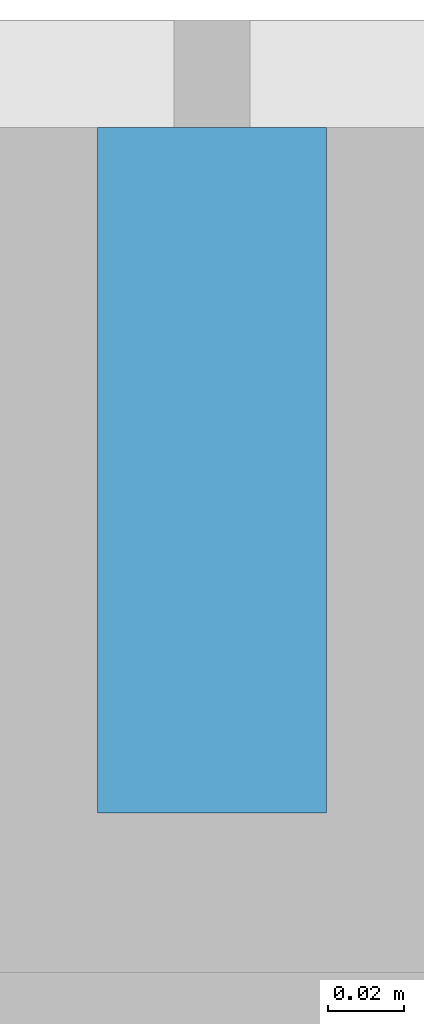
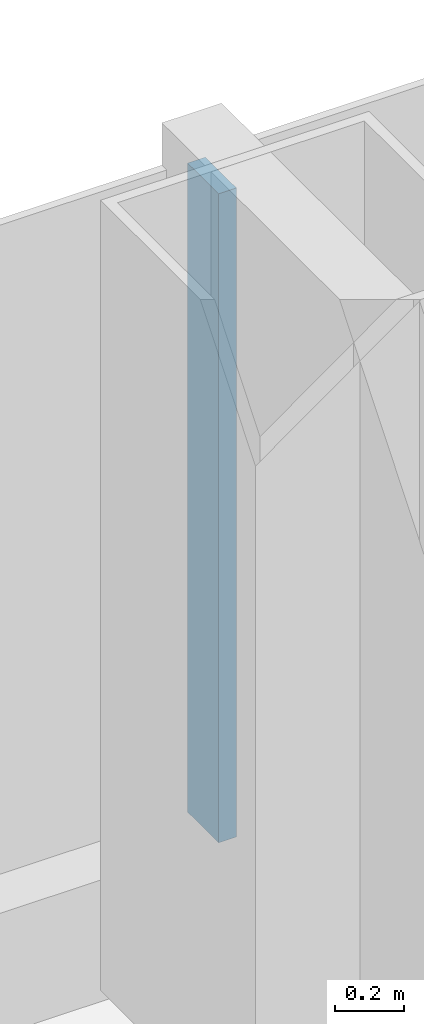
# One storey, part 7 of 28: 1 member, 1 element without a shape of its own.
"""IFC4 building model written with IfcOpenShell, lengths in metres."""

from ifc_helpers import new_model, si_unit, direction, frame, origin, origin_2d, place, context, subcontext, project, spatial, rectangle, extrude, material, layer, layer_set, material_profile, profile_set, type_object, element, aggregate, save


model = new_model("IFC4")

# Units and contexts
model_context = context("Model", 3, precision=1e-05, world=origin(), true_north=direction((0.0, 1.0)))
body_context = subcontext(model_context, "Body", "Model", "MODEL_VIEW")
ifc_project = project(units=[si_unit("LENGTHUNIT", "METRE"), si_unit("AREAUNIT", "SQUARE_METRE"), si_unit("VOLUMEUNIT", "CUBIC_METRE"), si_unit("PLANEANGLEUNIT", "RADIAN"), si_unit("MASSUNIT", "GRAM", prefix="KILO")], contexts=[model_context])

# Site, building, storey
site_placement = place(None, origin())
site = spatial("IfcSite", under=ifc_project, at=site_placement, CompositionType="ELEMENT")
building_placement = place(site_placement, origin())
building = spatial("IfcBuilding", under=site, at=building_placement, Name="Hakoniwa Tower and Hamabe Station Hall", CompositionType="ELEMENT")
storey_placement = place(building_placement, frame((0.0, 0.0, 42.199951171875)))
storey = spatial("IfcBuildingStorey", under=building, at=storey_placement, Name="L11", CompositionType="ELEMENT", Elevation=42.199951171875)

# Curtain wall, member
ifc_material_1 = material(Name="Dark low-e laminated glass", Category="glass")
ifc_layer = layer(ifc_material_1, 0.199951171875)
ifc_layer_set = layer_set([ifc_layer], Name="CW-1 UNITISED GUEST")
curtain_wall_type = type_object("IfcCurtainWallType", Name="CW-1 UNITISED GUEST", PredefinedType="NOTDEFINED", material=ifc_layer_set)
curtain_wall_placement = place(storey_placement, origin())
curtain_wall = element("IfcCurtainWall", 1, at=curtain_wall_placement, inside=storey, type_object=curtain_wall_type, Name="CW-1 curtain wall", PredefinedType="NOTDEFINED")
ifc_material_2 = material(Name="Aluminium 6063-T5 black anodised", Category="aluminium")
ifc_material_profile = material_profile(ifc_material_2, rectangle(XDim=0.06005859375, YDim=0.179931640625, at=origin_2d()), Name="CW-1 MULLION 60X180")
ifc_profile_set = profile_set([ifc_material_profile], Name="Aluminium 6063-T5 black anodised")
member_type = type_object("IfcMemberType", Name="CW-1 MULLION 60X180", PredefinedType="MULLION", material=ifc_profile_set)
member_placement = place(storey_placement, frame((0.0, 20.181884765625, 0.35009765625), z_axis=(0.0, 0.0, 1.0), x_axis=(-1.0, 0.0, 0.0)))
member = element("IfcMember", 2, at=member_placement, type_object=member_type, Name="CW-1 mullion", PredefinedType="MULLION", context=body_context, shape_type="SweptSolid", body=[
    extrude(rectangle(XDim=0.06005859375, YDim=0.179931640625, at=origin_2d()), origin(), (0.0, 0.0, 1.0), 2.300048828125),
])
aggregate(curtain_wall, [member])

save(model, "model.ifc")
